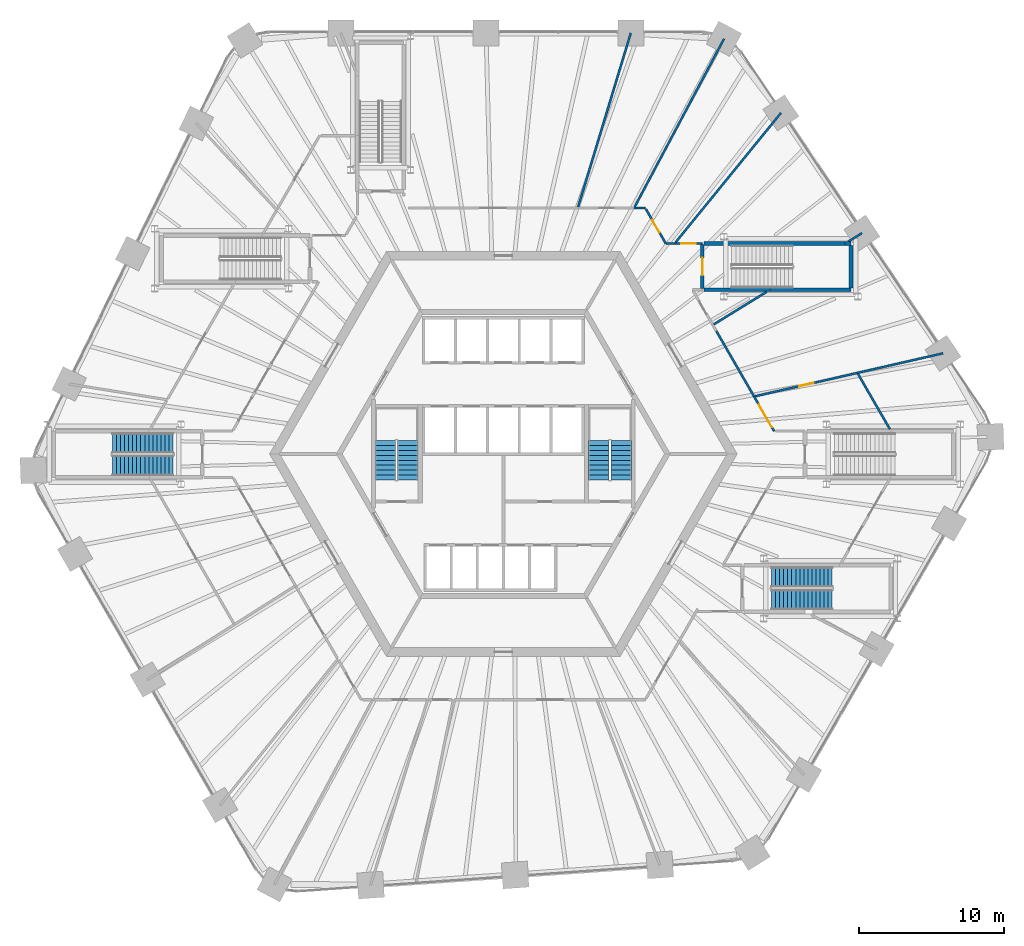
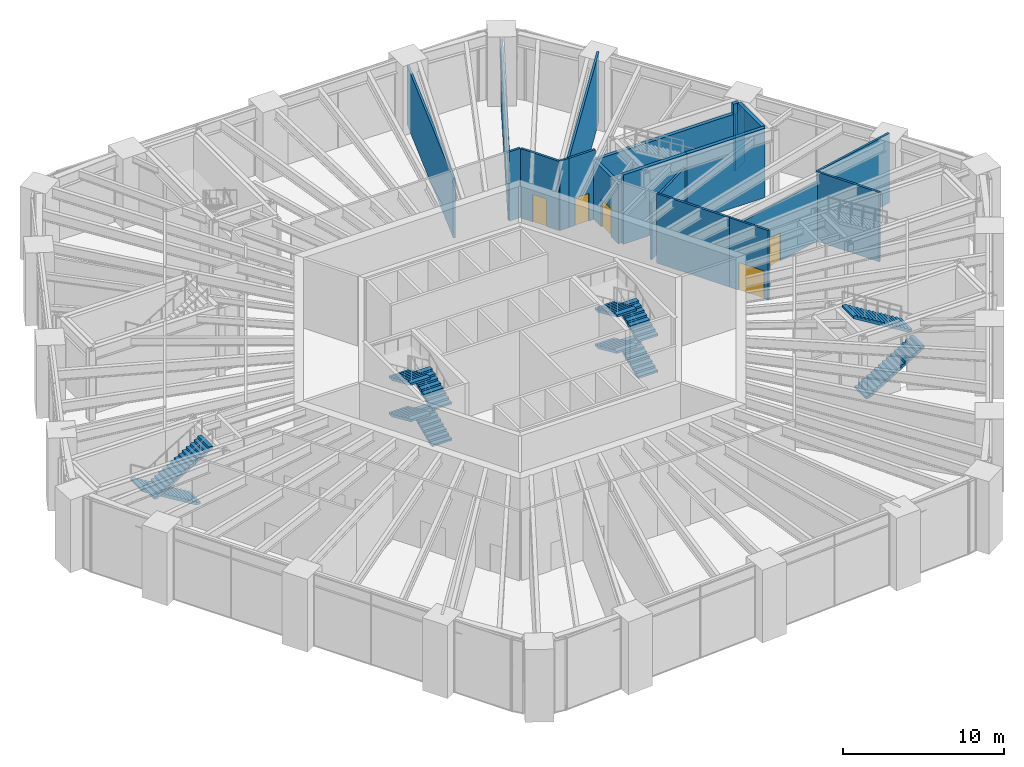
# One storey, part 25 of 30: 20 walls, 12 stair flights, 5 doors, 5 openings, 4 elements without a shape of their own.
"""IFC4 building model written with IfcOpenShell, lengths in metres."""

from ifc_helpers import new_model, si_unit, direction, frame, frame_2d, origin, place, context, subcontext, project, spatial, polyline, rectangle, outline, extrude, material, layer, layer_set, type_object, element, fill, aggregate, save


model = new_model("IFC4")

# Units and contexts
model_context = context("Model", 3, precision=1e-05, world=origin(), true_north=direction((0.0, 1.0)))
body_context = subcontext(model_context, "Body", "Model", "MODEL_VIEW")
ifc_project = project(units=[si_unit("LENGTHUNIT", "METRE"), si_unit("AREAUNIT", "SQUARE_METRE"), si_unit("VOLUMEUNIT", "CUBIC_METRE"), si_unit("PLANEANGLEUNIT", "RADIAN"), si_unit("MASSUNIT", "GRAM", prefix="KILO")], contexts=[model_context])

# Site, building, storey
site_placement = place(None, origin())
site = spatial("IfcSite", under=ifc_project, at=site_placement, CompositionType="ELEMENT")
building_placement = place(site_placement, origin())
building = spatial("IfcBuilding", under=site, at=building_placement, Name="Tarnside Tower", CompositionType="ELEMENT")
storey_placement = place(building_placement, frame((0.0, 0.0, 20.5)))
storey = spatial("IfcBuildingStorey", under=building, at=storey_placement, Name="L03", CompositionType="ELEMENT", Elevation=20.5)

# Walls
ifc_material_1 = material(Name="Gypsum board")
ifc_layer_1 = layer(ifc_material_1, 0.14990234375)
ifc_layer_set_1 = layer_set([ifc_layer_1], Name="Partition 150 gypsum board on metal stud")
wall_type_1 = type_object("IfcWallType", Name="Partition 150 gypsum board on metal stud", PredefinedType="PARTITIONING", material=ifc_layer_set_1)
wall_1_placement = place(storey_placement, frame((5.170654296875, 17.074951171875, 0.0), z_axis=(0.0, 0.0, 1.0), x_axis=(0.289887131616, 0.957060839719, 0.0)))
element("IfcWall", 1, at=wall_1_placement, inside=storey, type_object=wall_type_1, Name="Partition 051", PredefinedType="PARTITIONING", context=body_context, shape_type="SweptSolid", body=[
    extrude(rectangle(XDim=12.564697265625, YDim=0.14990234375, at=frame_2d((6.2822265625, 0.0))), origin(), (0.0, 0.0, 1.0), 4.49609375),
])
wall_2_placement = place(storey_placement, frame((9.81494140625, 17.0, 0.0), z_axis=(0.0, 0.0, 1.0), x_axis=(-1.0, 0.0, 0.0)))
element("IfcWall", 2, at=wall_2_placement, inside=storey, type_object=wall_type_1, Name="Partition 055", PredefinedType="PARTITIONING", context=body_context, shape_type="SweptSolid", body=[
    extrude(rectangle(XDim=0.77587890625, YDim=0.14990234375, at=frame_2d((0.387939453125, 0.0))), origin(), (0.0, 0.0, 1.0), 5.25),
])

# Wall, opening, door
wall_3_placement = place(storey_placement, frame((9.8583984375, 16.925048828125, 0.0), z_axis=(0.0, 0.0, 1.0), x_axis=(0.499835495421, -0.866120359718, 0.0)))
wall_3 = element("IfcWall", 3, at=wall_3_placement, inside=storey, type_object=wall_type_1, Name="Partition 057", PredefinedType="PARTITIONING", context=body_context, shape_type="SweptSolid", body=[
    extrude(rectangle(XDim=2.7421875, YDim=0.14990234375, at=frame_2d((1.37109375, 0.0))), origin(), (0.0, 0.0, 1.0), 5.25),
])
opening_1_placement = place(wall_3_placement, frame((0.87109375, 0.0, 0.0)))
opening_1 = element("IfcOpeningElement", 4, at=opening_1_placement, cuts=wall_3, Name="Opening D1000F30", PredefinedType="OPENING", context=body_context, shape_type="SweptSolid", body=[
    extrude(rectangle(XDim=1.0, YDim=2.10009765625, at=frame_2d((0.5, 1.050048828125))), frame((0.0, 0.0849609375, 0.0), z_axis=(0.0, -1.0, 0.0), x_axis=(1.0, 0.0, 0.0)), (0.0, 0.0, 1.0), 0.169921875),
])
ifc_material_2 = material(Name="Timber door leaf", Category="wood")
door_type_1 = type_object("IfcDoorType", Name="Door 1000 x 2100 single leaf FD30S fire door", OperationType="NOTDEFINED", PredefinedType="DOOR", material=ifc_material_2)
door_1_placement = place(opening_1_placement, origin())
door_1 = element("IfcDoor", 5, at=door_1_placement, inside=storey, type_object=door_type_1, Name="Door L03-22", OperationType="SINGLE_SWING_LEFT", OverallHeight=2.10009765625, OverallWidth=1.0, PredefinedType="DOOR", context=body_context, shape_type="SweptSolid", body=[
    extrude(rectangle(XDim=1.0, YDim=2.10009765625, at=frame_2d((0.5, 1.050048828125))), frame((0.0, 0.02490234375, 0.0), z_axis=(0.0, -1.0, 0.0), x_axis=(1.0, 0.0, 0.0)), (0.0, 0.0, 1.0), 0.050048828125),
])
fill(opening_1, door_1)

# Wall
wall_4_placement = place(storey_placement, frame((11.22998046875, 14.550048828125, 0.0), z_axis=(0.0, 0.0, 1.0), x_axis=(1.0, 0.0, 0.0)))
element("IfcWall", 6, at=wall_4_placement, inside=storey, type_object=wall_type_1, Name="Partition 058", PredefinedType="PARTITIONING", context=body_context, shape_type="SweptSolid", body=[
    extrude(rectangle(XDim=0.62890625, YDim=0.14990234375, at=frame_2d((0.314453125, 0.0))), origin(), (0.0, 0.0, 1.0), 5.25),
])

# Wall, opening, door
wall_5_placement = place(storey_placement, frame((11.8359375, 14.550048828125, 0.0), z_axis=(0.0, 0.0, 1.0), x_axis=(1.0, 0.0, 0.0)))
wall_5 = element("IfcWall", 7, at=wall_5_placement, inside=storey, type_object=wall_type_1, Name="Partition 059", PredefinedType="PARTITIONING", context=body_context, shape_type="SweptSolid", body=[
    extrude(rectangle(XDim=1.928955078125, YDim=0.14990234375, at=frame_2d((0.96435546875, 0.0))), origin(), (0.0, 0.0, 1.0), 5.25),
])
opening_2_placement = place(wall_5_placement, frame((0.464599609375, 0.0, 0.0)))
opening_2 = element("IfcOpeningElement", 8, at=opening_2_placement, cuts=wall_5, Name="Opening D1000F30", PredefinedType="OPENING", context=body_context, shape_type="SweptSolid", body=[
    extrude(rectangle(XDim=1.0, YDim=2.10009765625, at=frame_2d((0.5, 1.050048828125))), frame((0.0, 0.0849609375, 0.0), z_axis=(0.0, -1.0, 0.0), x_axis=(1.0, 0.0, 0.0)), (0.0, 0.0, 1.0), 0.169921875),
])
door_2_placement = place(opening_2_placement, origin())
door_2 = element("IfcDoor", 9, at=door_2_placement, inside=storey, type_object=door_type_1, Name="Door L03-23", OperationType="SINGLE_SWING_RIGHT", OverallHeight=2.10009765625, OverallWidth=1.0, PredefinedType="DOOR", context=body_context, shape_type="SweptSolid", body=[
    extrude(rectangle(XDim=1.0, YDim=2.10009765625, at=frame_2d((0.5, 1.050048828125))), frame((0.0, 0.02490234375, 0.0), z_axis=(0.0, -1.0, 0.0), x_axis=(1.0, 0.0, 0.0)), (0.0, 0.0, 1.0), 0.050048828125),
])
fill(opening_2, door_2)

# Walls
wall_6_placement = place(storey_placement, frame((15.260986328125, 28.700927734375, 0.0), z_axis=(0.0, 0.0, 1.0), x_axis=(-0.469500426527, -0.882932245131, 0.0)))
element("IfcWall", 10, at=wall_6_placement, inside=storey, type_object=wall_type_1, Name="Partition 068", PredefinedType="PARTITIONING", context=body_context, shape_type="SweptSolid", body=[
    extrude(rectangle(XDim=13.16748046875, YDim=0.14990234375, at=frame_2d((6.583740234375, 0.0))), origin(), (0.0, 0.0, 1.0), 4.48779296875),
])
wall_7_placement = place(storey_placement, frame((17.339111328125, 3.968017578125, 0.0), z_axis=(0.0, 0.0, 1.0), x_axis=(-0.499952654668, 0.866052736899, 0.0)))
element("IfcWall", 11, at=wall_7_placement, inside=storey, type_object=wall_type_1, Name="Partition 072", PredefinedType="PARTITIONING", context=body_context, shape_type="SweptSolid", body=[
    extrude(rectangle(XDim=5.23291015625, YDim=0.14990234375, at=frame_2d((2.616455078125, 0.0))), origin(), (0.0, 0.0, 1.0), 5.25),
])
wall_8_placement = place(storey_placement, frame((18.23388671875, 11.22509765625, 0.0), z_axis=(0.0, 0.0, 1.0), x_axis=(-0.851571181887, -0.524238993379, 0.0)))
element("IfcWall", 12, at=wall_8_placement, inside=storey, type_object=wall_type_1, Name="Partition 073", PredefinedType="PARTITIONING", context=body_context, shape_type="SweptSolid", body=[
    extrude(rectangle(XDim=4.32958984375, YDim=0.14990234375, at=frame_2d((2.164794921875, 0.0))), origin(), (0.0, 0.0, 1.0), 4.323486328125),
])

# Wall, opening, door
wall_9_placement = place(storey_placement, frame((18.720947265625, 1.574951171875, 0.0), z_axis=(0.0, 0.0, 1.0), x_axis=(-0.500053847239, 0.865994312834, 0.0)))
wall_9 = element("IfcWall", 13, at=wall_9_placement, inside=storey, type_object=wall_type_1, Name="Partition 075", PredefinedType="PARTITIONING", context=body_context, shape_type="SweptSolid", body=[
    extrude(rectangle(XDim=2.763427734375, YDim=0.14990234375, at=frame_2d((1.3818359375, 0.0))), origin(), (0.0, 0.0, 1.0), 5.25),
])
opening_3_placement = place(wall_9_placement, frame((0.312744140625, 0.0, 0.0)))
opening_3 = element("IfcOpeningElement", 14, at=opening_3_placement, cuts=wall_9, Name="Opening D1800F30", PredefinedType="OPENING", context=body_context, shape_type="SweptSolid", body=[
    extrude(rectangle(XDim=1.800048828125, YDim=2.10009765625, at=frame_2d((0.89990234375, 1.050048828125))), frame((0.0, 0.0849609375, 0.0), z_axis=(0.0, -1.0, 0.0), x_axis=(1.0, 0.0, 0.0)), (0.0, 0.0, 1.0), 0.169921875),
])
door_type_2 = type_object("IfcDoorType", Name="Door pair 1800 x 2100 FD30S fire door", OperationType="NOTDEFINED", PredefinedType="DOOR", material=ifc_material_2)
door_3_placement = place(opening_3_placement, origin())
door_3 = element("IfcDoor", 15, at=door_3_placement, inside=storey, type_object=door_type_2, Name="Door L03-30", OperationType="DOUBLE_DOOR_SINGLE_SWING", OverallHeight=2.10009765625, OverallWidth=1.800048828125, PredefinedType="DOOR", context=body_context, shape_type="SweptSolid", body=[
    extrude(rectangle(XDim=1.800048828125, YDim=2.10009765625, at=frame_2d((0.89990234375, 1.050048828125))), frame((0.0, 0.02490234375, 0.0), z_axis=(0.0, -1.0, 0.0), x_axis=(1.0, 0.0, 0.0)), (0.0, 0.0, 1.0), 0.050048828125),
])
fill(opening_3, door_3)

# Walls
wall_10_placement = place(storey_placement, frame((19.197021484375, 23.577880859375, 0.0), z_axis=(0.0, 0.0, 1.0), x_axis=(-0.631417805909, -0.775442811805, 0.0)))
element("IfcWall", 16, at=wall_10_placement, inside=storey, type_object=wall_type_1, Name="Partition 077", PredefinedType="PARTITIONING", context=body_context, shape_type="SweptSolid", body=[
    extrude(rectangle(XDim=11.54541015625, YDim=0.14990234375, at=frame_2d((5.772705078125, 0.0))), origin(), (0.0, 0.0, 1.0), 5.25),
])
wall_11_placement = place(storey_placement, frame((24.518310546875, 5.533935546875, 0.0), z_axis=(0.0, 0.0, 1.0), x_axis=(0.500012051057, -0.866018445991, 0.0)))
element("IfcWall", 17, at=wall_11_placement, inside=storey, type_object=wall_type_1, Name="Partition 087", PredefinedType="PARTITIONING", context=body_context, shape_type="SweptSolid", body=[
    extrude(rectangle(XDim=4.42724609375, YDim=0.14990234375, at=frame_2d((2.213623046875, 0.0))), origin(), (0.0, 0.0, 1.0), 5.25),
])

# Wall, opening, door
wall_12_placement = place(storey_placement, frame((17.41552734375, 3.985595703125, 0.0), z_axis=(0.0, 0.0, 1.0), x_axis=(0.974810247243, 0.223035830911, 0.0)))
wall_12 = element("IfcWall", 18, at=wall_12_placement, inside=storey, type_object=wall_type_1, Name="Partition 088", PredefinedType="PARTITIONING", context=body_context, shape_type="SweptSolid", body=[
    extrude(rectangle(XDim=7.25634765625, YDim=0.14990234375, at=frame_2d((3.628173828125, 0.0))), origin(), (0.0, 0.0, 1.0), 4.48779296875),
])
opening_4_placement = place(wall_12_placement, frame((3.128173828125, 0.0, 0.0)))
opening_4 = element("IfcOpeningElement", 19, at=opening_4_placement, cuts=wall_12, Name="Opening D1000F30", PredefinedType="OPENING", context=body_context, shape_type="SweptSolid", body=[
    extrude(rectangle(XDim=1.0, YDim=2.10009765625, at=frame_2d((0.5, 1.050048828125))), frame((0.0, 0.0849609375, 0.0), z_axis=(0.0, -1.0, 0.0), x_axis=(1.0, 0.0, 0.0)), (0.0, 0.0, 1.0), 0.169921875),
])
door_4_placement = place(opening_4_placement, origin())
door_4 = element("IfcDoor", 20, at=door_4_placement, inside=storey, type_object=door_type_1, Name="Door L03-32", OperationType="SINGLE_SWING_LEFT", OverallHeight=2.10009765625, OverallWidth=1.0, PredefinedType="DOOR", context=body_context, shape_type="SweptSolid", body=[
    extrude(rectangle(XDim=1.0, YDim=2.10009765625, at=frame_2d((0.5, 1.050048828125))), frame((0.0, 0.02490234375, 0.0), z_axis=(0.0, -1.0, 0.0), x_axis=(1.0, 0.0, 0.0)), (0.0, 0.0, 1.0), 0.050048828125),
])
fill(opening_4, door_4)

# Walls
wall_13_placement = place(storey_placement, frame((24.802001953125, 15.26806640625, 0.0), z_axis=(0.0, 0.0, 1.0), x_axis=(-0.851472949554, -0.524398528009, 0.0)))
element("IfcWall", 21, at=wall_13_placement, inside=storey, type_object=wall_type_1, Name="Partition 089", PredefinedType="PARTITIONING", context=body_context, shape_type="SweptSolid", body=[
    extrude(rectangle(XDim=1.130859375, YDim=0.14990234375, at=frame_2d((0.5654296875, 0.0))), origin(), (0.0, 0.0, 1.0), 4.323486328125),
])
wall_14_placement = place(storey_placement, frame((30.406982421875, 6.9580078125, 0.0), z_axis=(0.0, 0.0, 1.0), x_axis=(-0.97479228721, -0.223114313291, 0.0)))
element("IfcWall", 22, at=wall_14_placement, inside=storey, type_object=wall_type_1, Name="Partition 096", PredefinedType="PARTITIONING", context=body_context, shape_type="SweptSolid", body=[
    extrude(rectangle(XDim=6.090576171875, YDim=0.14990234375, at=frame_2d((3.04541015625, 0.0))), origin(), (0.0, 0.0, 1.0), 5.25),
])

# Wall, opening, door
ifc_material_3 = material(Name="Concrete C32/40", Category="concrete")
ifc_layer_2 = layer(ifc_material_3, 0.25)
ifc_layer_set_2 = layer_set([ifc_layer_2], Name="Wall 250 reinforced Concrete C32/40")
wall_type_2 = type_object("IfcWallType", Name="Wall 250 reinforced Concrete C32/40", PredefinedType="PARTITIONING", material=ifc_layer_set_2)
wall_15_placement = place(storey_placement, frame((13.764892578125, 11.425048828125, 0.0), z_axis=(0.0, 0.0, 1.0), x_axis=(0.0, 1.0, 0.0)))
wall_15 = element("IfcWall", 23, at=wall_15_placement, inside=storey, type_object=wall_type_2, Name="Partition 062", PredefinedType="PARTITIONING", context=body_context, shape_type="SweptSolid", body=[
    extrude(rectangle(XDim=3.050048828125, YDim=0.25, at=frame_2d((1.52490234375, 0.0))), origin(), (0.0, 0.0, 1.0), 4.49609375),
])
opening_5_placement = place(wall_15_placement, frame((0.925048828125, 0.0, 0.0)))
opening_5 = element("IfcOpeningElement", 24, at=opening_5_placement, cuts=wall_15, Name="Opening D1200F60S", PredefinedType="OPENING", context=body_context, shape_type="SweptSolid", body=[
    extrude(rectangle(XDim=1.199951171875, YDim=2.10009765625, at=frame_2d((0.60009765625, 1.050048828125))), frame((0.0, 0.135009765625, 0.0), z_axis=(0.0, -1.0, 0.0), x_axis=(1.0, 0.0, 0.0)), (0.0, 0.0, 1.0), 0.27001953125),
])
door_type_3 = type_object("IfcDoorType", Name="Door 1200 x 2100 single leaf FD60S fire door", OperationType="NOTDEFINED", PredefinedType="DOOR", material=ifc_material_2)
door_5_placement = place(opening_5_placement, origin())
door_5 = element("IfcDoor", 25, at=door_5_placement, inside=storey, type_object=door_type_3, Name="Door L03-24", OperationType="SINGLE_SWING_LEFT", OverallHeight=2.10009765625, OverallWidth=1.199951171875, PredefinedType="DOOR", context=body_context, shape_type="SweptSolid", body=[
    extrude(rectangle(XDim=1.199951171875, YDim=2.10009765625, at=frame_2d((0.60009765625, 1.050048828125))), frame((0.0, 0.02490234375, 0.0), z_axis=(0.0, -1.0, 0.0), x_axis=(1.0, 0.0, 0.0)), (0.0, 0.0, 1.0), 0.050048828125),
])
fill(opening_5, door_5)

# Walls
wall_16_placement = place(storey_placement, frame((13.889892578125, 14.550048828125, 0.0), z_axis=(0.0, 0.0, 1.0), x_axis=(1.0, 0.0, 0.0)))
element("IfcWall", 26, at=wall_16_placement, inside=storey, type_object=wall_type_2, Name="Partition 063", PredefinedType="PARTITIONING", context=body_context, shape_type="SweptSolid", body=[
    extrude(rectangle(XDim=9.76513671875, YDim=0.25, at=frame_2d((4.882568359375, 0.0))), origin(), (0.0, 0.0, 1.0), 4.49609375),
])
wall_17_placement = place(storey_placement, frame((18.447021484375, 11.35009765625, 0.0), z_axis=(0.0, 0.0, 1.0), x_axis=(-1.0, 0.0, 0.0)))
element("IfcWall", 27, at=wall_17_placement, inside=storey, type_object=wall_type_2, Name="Partition 074", PredefinedType="PARTITIONING", context=body_context, shape_type="SweptSolid", body=[
    extrude(rectangle(XDim=4.55712890625, YDim=0.25, at=frame_2d((2.278564453125, 0.0))), origin(), (0.0, 0.0, 1.0), 5.25),
])
wall_18_placement = place(storey_placement, frame((23.6259765625, 14.550048828125, 0.0), z_axis=(0.0, 0.0, 1.0), x_axis=(1.0, 0.0, 0.0)))
element("IfcWall", 28, at=wall_18_placement, inside=storey, type_object=wall_type_2, Name="Partition 084", PredefinedType="PARTITIONING", context=body_context, shape_type="SweptSolid", body=[
    extrude(rectangle(XDim=0.408935546875, YDim=0.25, at=frame_2d((0.20458984375, 0.0))), origin(), (0.0, 0.0, 1.0), 5.25),
])
wall_19_placement = place(storey_placement, frame((24.034912109375, 11.35009765625, 0.0), z_axis=(0.0, 0.0, 1.0), x_axis=(-1.0, 0.0, 0.0)))
element("IfcWall", 29, at=wall_19_placement, inside=storey, type_object=wall_type_2, Name="Partition 085", PredefinedType="PARTITIONING", context=body_context, shape_type="SweptSolid", body=[
    extrude(rectangle(XDim=5.616943359375, YDim=0.25, at=frame_2d((2.80859375, 0.0))), origin(), (0.0, 0.0, 1.0), 5.25),
])
wall_20_placement = place(storey_placement, frame((24.034912109375, 14.425048828125, 0.0), z_axis=(0.0, 0.0, 1.0), x_axis=(0.0, -1.0, 0.0)))
element("IfcWall", 30, at=wall_20_placement, inside=storey, type_object=wall_type_2, Name="Partition 086", PredefinedType="PARTITIONING", context=body_context, shape_type="SweptSolid", body=[
    extrude(rectangle(XDim=2.949951171875, YDim=0.25, at=frame_2d((1.47509765625, 0.0))), origin(), (0.0, 0.0, 1.0), 5.25),
])

# Stair, stair flights
ifc_material_4 = material(Name="Concrete C40/50", Category="concrete")
stair_type_1 = type_object("IfcStairType", Name="Exit stair 1400 clear", PredefinedType="HALF_TURN_STAIR", material=ifc_material_4)
stair_1_placement = place(storey_placement, origin())
stair_1 = element("IfcStair", 31, at=stair_1_placement, inside=storey, type_object=stair_type_1, Name="L03 Exit stair 1", PredefinedType="HALF_TURN_STAIR")
stair_flight_type_1 = type_object("IfcStairFlightType", Name="Exit stair flight 1400", PredefinedType="STRAIGHT", material=ifc_material_4)
stair_flight_1_placement = place(storey_placement, frame((8.14990234375, -1.800048828125, 0.0), z_axis=(0.0, 0.0, 1.0), x_axis=(0.0, 1.0, 0.0)))
stair_flight_1 = element("IfcStairFlight", 32, at=stair_flight_1_placement, type_object=stair_flight_type_1, Name="ST1 flight 1", NumberOfRisers=9, NumberOfTreads=8, PredefinedType="STRAIGHT", RiserHeight=0.152777778, TreadLength=0.34, context=body_context, shape_type="SweptSolid", body=[
    extrude(outline(polyline([(0.0, 0.0), (0.0, 0.15283203125), (0.340087890625, 0.15283203125), (0.340087890625, 0.3056640625), (0.679931640625, 0.3056640625), (0.679931640625, 0.458251953125), (1.02001953125, 0.458251953125), (1.02001953125, 0.611083984375), (1.360107421875, 0.611083984375), (1.360107421875, 0.763916015625), (1.699951171875, 0.763916015625), (1.699951171875, 0.916748046875), (2.0400390625, 0.916748046875), (2.0400390625, 1.0693359375), (2.3798828125, 1.0693359375), (2.3798828125, 1.22216796875), (2.719970703125, 1.22216796875), (2.719970703125, 1.375), (2.719970703125, 1.057861328125), (0.36572265625, 0.0), (0.0, 0.0)])), frame((0.0, 0.699951171875, 0.0), z_axis=(0.0, -1.0, 0.0), x_axis=(1.0, 0.0, 0.0)), (0.0, 0.0, 1.0), 1.39990234375),
])
stair_flight_2_placement = place(storey_placement, frame((6.60009765625, 0.919921875, 1.375), z_axis=(0.0, 0.0, 1.0), x_axis=(0.0, -1.0, 0.0)))
stair_flight_2 = element("IfcStairFlight", 33, at=stair_flight_2_placement, type_object=stair_flight_type_1, Name="ST1 flight 2", NumberOfRisers=9, NumberOfTreads=8, PredefinedType="STRAIGHT", RiserHeight=0.152777778, TreadLength=0.34, context=body_context, shape_type="SweptSolid", body=[
    extrude(outline(polyline([(0.0, 0.0), (0.0, 0.15283203125), (0.340087890625, 0.15283203125), (0.340087890625, 0.3056640625), (0.679931640625, 0.3056640625), (0.679931640625, 0.458251953125), (1.02001953125, 0.458251953125), (1.02001953125, 0.611083984375), (1.360107421875, 0.611083984375), (1.360107421875, 0.763916015625), (1.699951171875, 0.763916015625), (1.699951171875, 0.916748046875), (2.0400390625, 0.916748046875), (2.0400390625, 1.0693359375), (2.3798828125, 1.0693359375), (2.3798828125, 1.22216796875), (2.719970703125, 1.22216796875), (2.719970703125, 1.375), (2.719970703125, 1.057861328125), (0.36572265625, 0.0), (0.0, 0.0)])), frame((0.0, 0.699951171875, 0.0), z_axis=(0.0, -1.0, 0.0), x_axis=(1.0, 0.0, 0.0)), (0.0, 0.0, 1.0), 1.39990234375),
])
stair_flight_3_placement = place(storey_placement, frame((8.14990234375, -1.800048828125, 2.75), z_axis=(0.0, 0.0, 1.0), x_axis=(0.0, 1.0, 0.0)))
stair_flight_3 = element("IfcStairFlight", 34, at=stair_flight_3_placement, type_object=stair_flight_type_1, Name="ST1 flight 3", NumberOfRisers=9, NumberOfTreads=8, PredefinedType="STRAIGHT", RiserHeight=0.152777778, TreadLength=0.34, context=body_context, shape_type="SweptSolid", body=[
    extrude(outline(polyline([(0.0, 0.0), (0.0, 0.15283203125), (0.340087890625, 0.15283203125), (0.340087890625, 0.3056640625), (0.679931640625, 0.3056640625), (0.679931640625, 0.458251953125), (1.02001953125, 0.458251953125), (1.02001953125, 0.611083984375), (1.360107421875, 0.611083984375), (1.360107421875, 0.763916015625), (1.699951171875, 0.763916015625), (1.699951171875, 0.916748046875), (2.0400390625, 0.916748046875), (2.0400390625, 1.0693359375), (2.3798828125, 1.0693359375), (2.3798828125, 1.22216796875), (2.719970703125, 1.22216796875), (2.719970703125, 1.375), (2.719970703125, 1.057861328125), (0.36572265625, 0.0), (0.0, 0.0)])), frame((0.0, 0.699951171875, 0.0), z_axis=(0.0, -1.0, 0.0), x_axis=(1.0, 0.0, 0.0)), (0.0, 0.0, 1.0), 1.39990234375),
])
stair_flight_4_placement = place(storey_placement, frame((6.60009765625, 0.919921875, 4.125), z_axis=(0.0, 0.0, 1.0), x_axis=(0.0, -1.0, 0.0)))
stair_flight_4 = element("IfcStairFlight", 35, at=stair_flight_4_placement, type_object=stair_flight_type_1, Name="ST1 flight 4", NumberOfRisers=9, NumberOfTreads=8, PredefinedType="STRAIGHT", RiserHeight=0.152777778, TreadLength=0.34, context=body_context, shape_type="SweptSolid", body=[
    extrude(outline(polyline([(0.0, 0.0), (0.0, 0.15283203125), (0.340087890625, 0.15283203125), (0.340087890625, 0.3056640625), (0.679931640625, 0.3056640625), (0.679931640625, 0.458251953125), (1.02001953125, 0.458251953125), (1.02001953125, 0.611083984375), (1.360107421875, 0.611083984375), (1.360107421875, 0.763916015625), (1.699951171875, 0.763916015625), (1.699951171875, 0.916748046875), (2.0400390625, 0.916748046875), (2.0400390625, 1.0693359375), (2.3798828125, 1.0693359375), (2.3798828125, 1.22216796875), (2.719970703125, 1.22216796875), (2.719970703125, 1.375), (2.719970703125, 1.057861328125), (0.36572265625, 0.0), (0.0, 0.0)])), frame((0.0, 0.699951171875, 0.0), z_axis=(0.0, -1.0, 0.0), x_axis=(1.0, 0.0, 0.0)), (0.0, 0.0, 1.0), 1.39990234375),
])
aggregate(stair_1, [stair_flight_1, stair_flight_2, stair_flight_3, stair_flight_4])

stair_2_placement = place(storey_placement, origin())
stair_2 = element("IfcStair", 36, at=stair_2_placement, inside=storey, type_object=stair_type_1, Name="L03 Exit stair 2", PredefinedType="HALF_TURN_STAIR")
stair_flight_5_placement = place(storey_placement, frame((-6.60009765625, -1.800048828125, 0.0), z_axis=(0.0, 0.0, 1.0), x_axis=(0.0, 1.0, 0.0)))
stair_flight_5 = element("IfcStairFlight", 37, at=stair_flight_5_placement, type_object=stair_flight_type_1, Name="ST2 flight 1", NumberOfRisers=9, NumberOfTreads=8, PredefinedType="STRAIGHT", RiserHeight=0.152777778, TreadLength=0.34, context=body_context, shape_type="SweptSolid", body=[
    extrude(outline(polyline([(0.0, 0.0), (0.0, 0.15283203125), (0.340087890625, 0.15283203125), (0.340087890625, 0.3056640625), (0.679931640625, 0.3056640625), (0.679931640625, 0.458251953125), (1.02001953125, 0.458251953125), (1.02001953125, 0.611083984375), (1.360107421875, 0.611083984375), (1.360107421875, 0.763916015625), (1.699951171875, 0.763916015625), (1.699951171875, 0.916748046875), (2.0400390625, 0.916748046875), (2.0400390625, 1.0693359375), (2.3798828125, 1.0693359375), (2.3798828125, 1.22216796875), (2.719970703125, 1.22216796875), (2.719970703125, 1.375), (2.719970703125, 1.057861328125), (0.36572265625, 0.0), (0.0, 0.0)])), frame((0.0, 0.699951171875, 0.0), z_axis=(0.0, -1.0, 0.0), x_axis=(1.0, 0.0, 0.0)), (0.0, 0.0, 1.0), 1.39990234375),
])
stair_flight_6_placement = place(storey_placement, frame((-8.14990234375, 0.919921875, 1.375), z_axis=(0.0, 0.0, 1.0), x_axis=(0.0, -1.0, 0.0)))
stair_flight_6 = element("IfcStairFlight", 38, at=stair_flight_6_placement, type_object=stair_flight_type_1, Name="ST2 flight 2", NumberOfRisers=9, NumberOfTreads=8, PredefinedType="STRAIGHT", RiserHeight=0.152777778, TreadLength=0.34, context=body_context, shape_type="SweptSolid", body=[
    extrude(outline(polyline([(0.0, 0.0), (0.0, 0.15283203125), (0.340087890625, 0.15283203125), (0.340087890625, 0.3056640625), (0.679931640625, 0.3056640625), (0.679931640625, 0.458251953125), (1.02001953125, 0.458251953125), (1.02001953125, 0.611083984375), (1.360107421875, 0.611083984375), (1.360107421875, 0.763916015625), (1.699951171875, 0.763916015625), (1.699951171875, 0.916748046875), (2.0400390625, 0.916748046875), (2.0400390625, 1.0693359375), (2.3798828125, 1.0693359375), (2.3798828125, 1.22216796875), (2.719970703125, 1.22216796875), (2.719970703125, 1.375), (2.719970703125, 1.057861328125), (0.36572265625, 0.0), (0.0, 0.0)])), frame((0.0, 0.699951171875, 0.0), z_axis=(0.0, -1.0, 0.0), x_axis=(1.0, 0.0, 0.0)), (0.0, 0.0, 1.0), 1.39990234375),
])
stair_flight_7_placement = place(storey_placement, frame((-6.60009765625, -1.800048828125, 2.75), z_axis=(0.0, 0.0, 1.0), x_axis=(0.0, 1.0, 0.0)))
stair_flight_7 = element("IfcStairFlight", 39, at=stair_flight_7_placement, type_object=stair_flight_type_1, Name="ST2 flight 3", NumberOfRisers=9, NumberOfTreads=8, PredefinedType="STRAIGHT", RiserHeight=0.152777778, TreadLength=0.34, context=body_context, shape_type="SweptSolid", body=[
    extrude(outline(polyline([(0.0, 0.0), (0.0, 0.15283203125), (0.340087890625, 0.15283203125), (0.340087890625, 0.3056640625), (0.679931640625, 0.3056640625), (0.679931640625, 0.458251953125), (1.02001953125, 0.458251953125), (1.02001953125, 0.611083984375), (1.360107421875, 0.611083984375), (1.360107421875, 0.763916015625), (1.699951171875, 0.763916015625), (1.699951171875, 0.916748046875), (2.0400390625, 0.916748046875), (2.0400390625, 1.0693359375), (2.3798828125, 1.0693359375), (2.3798828125, 1.22216796875), (2.719970703125, 1.22216796875), (2.719970703125, 1.375), (2.719970703125, 1.057861328125), (0.36572265625, 0.0), (0.0, 0.0)])), frame((0.0, 0.699951171875, 0.0), z_axis=(0.0, -1.0, 0.0), x_axis=(1.0, 0.0, 0.0)), (0.0, 0.0, 1.0), 1.39990234375),
])
stair_flight_8_placement = place(storey_placement, frame((-8.14990234375, 0.919921875, 4.125), z_axis=(0.0, 0.0, 1.0), x_axis=(0.0, -1.0, 0.0)))
stair_flight_8 = element("IfcStairFlight", 40, at=stair_flight_8_placement, type_object=stair_flight_type_1, Name="ST2 flight 4", NumberOfRisers=9, NumberOfTreads=8, PredefinedType="STRAIGHT", RiserHeight=0.152777778, TreadLength=0.34, context=body_context, shape_type="SweptSolid", body=[
    extrude(outline(polyline([(0.0, 0.0), (0.0, 0.15283203125), (0.340087890625, 0.15283203125), (0.340087890625, 0.3056640625), (0.679931640625, 0.3056640625), (0.679931640625, 0.458251953125), (1.02001953125, 0.458251953125), (1.02001953125, 0.611083984375), (1.360107421875, 0.611083984375), (1.360107421875, 0.763916015625), (1.699951171875, 0.763916015625), (1.699951171875, 0.916748046875), (2.0400390625, 0.916748046875), (2.0400390625, 1.0693359375), (2.3798828125, 1.0693359375), (2.3798828125, 1.22216796875), (2.719970703125, 1.22216796875), (2.719970703125, 1.375), (2.719970703125, 1.057861328125), (0.36572265625, 0.0), (0.0, 0.0)])), frame((0.0, 0.699951171875, 0.0), z_axis=(0.0, -1.0, 0.0), x_axis=(1.0, 0.0, 0.0)), (0.0, 0.0, 1.0), 1.39990234375),
])
aggregate(stair_2, [stair_flight_5, stair_flight_6, stair_flight_7, stair_flight_8])

stair_type_2 = type_object("IfcStairType", Name="Podium exit stair 1400 clear", PredefinedType="HALF_TURN_STAIR", material=ifc_material_4)
stair_3_placement = place(storey_placement, origin())
stair_3 = element("IfcStair", 41, at=stair_3_placement, inside=storey, type_object=stair_type_2, Name="L03 Podium exit stair 2", PredefinedType="HALF_TURN_STAIR")
stair_flight_type_2 = type_object("IfcStairFlightType", Name="Podium exit stair flight 1400", PredefinedType="STRAIGHT", material=ifc_material_4)
stair_flight_9_placement = place(storey_placement, frame((-22.830078125, 0.75, 0.0), z_axis=(0.0, 0.0, 1.0), x_axis=(-1.0, 0.0, 0.0)))
stair_flight_9 = element("IfcStairFlight", 42, at=stair_flight_9_placement, type_object=stair_flight_type_2, Name="PS2 flight 1", NumberOfRisers=16, NumberOfTreads=15, PredefinedType="STRAIGHT", RiserHeight=0.171875, TreadLength=0.28, context=body_context, shape_type="SweptSolid", body=[
    extrude(outline(polyline([(0.0, 0.0), (0.0, 0.171875), (0.280029296875, 0.171875), (0.280029296875, 0.34375), (0.56005859375, 0.34375), (0.56005859375, 0.515625), (0.840087890625, 0.515625), (0.840087890625, 0.6875), (1.1201171875, 0.6875), (1.1201171875, 0.859375), (1.39990234375, 0.859375), (1.39990234375, 1.03125), (1.679931640625, 1.03125), (1.679931640625, 1.203125), (1.9599609375, 1.203125), (1.9599609375, 1.375), (2.239990234375, 1.375), (2.239990234375, 1.546875), (2.52001953125, 1.546875), (2.52001953125, 1.71875), (2.800048828125, 1.71875), (2.800048828125, 1.890625), (3.080078125, 1.890625), (3.080078125, 2.0625), (3.360107421875, 2.0625), (3.360107421875, 2.234375), (3.639892578125, 2.234375), (3.639892578125, 2.40625), (3.919921875, 2.40625), (3.919921875, 2.578125), (4.199951171875, 2.578125), (4.199951171875, 2.75), (4.199951171875, 2.40234375), (0.28662109375, 0.0), (0.0, 0.0)])), frame((0.0, 0.699951171875, 0.0), z_axis=(0.0, -1.0, 0.0), x_axis=(1.0, 0.0, 0.0)), (0.0, 0.0, 1.0), 1.39990234375),
])
stair_flight_10_placement = place(storey_placement, frame((-27.030029296875, -0.800048828125, 2.75), z_axis=(0.0, 0.0, 1.0), x_axis=(1.0, 0.0, 0.0)))
stair_flight_10 = element("IfcStairFlight", 43, at=stair_flight_10_placement, type_object=stair_flight_type_2, Name="PS2 flight 2", NumberOfRisers=16, NumberOfTreads=15, PredefinedType="STRAIGHT", RiserHeight=0.171875, TreadLength=0.28, context=body_context, shape_type="SweptSolid", body=[
    extrude(outline(polyline([(0.0, 0.0), (0.0, 0.171875), (0.280029296875, 0.171875), (0.280029296875, 0.34375), (0.56005859375, 0.34375), (0.56005859375, 0.515625), (0.840087890625, 0.515625), (0.840087890625, 0.6875), (1.1201171875, 0.6875), (1.1201171875, 0.859375), (1.39990234375, 0.859375), (1.39990234375, 1.03125), (1.679931640625, 1.03125), (1.679931640625, 1.203125), (1.9599609375, 1.203125), (1.9599609375, 1.375), (2.239990234375, 1.375), (2.239990234375, 1.546875), (2.52001953125, 1.546875), (2.52001953125, 1.71875), (2.800048828125, 1.71875), (2.800048828125, 1.890625), (3.080078125, 1.890625), (3.080078125, 2.0625), (3.360107421875, 2.0625), (3.360107421875, 2.234375), (3.639892578125, 2.234375), (3.639892578125, 2.40625), (3.919921875, 2.40625), (3.919921875, 2.578125), (4.199951171875, 2.578125), (4.199951171875, 2.75), (4.199951171875, 2.40234375), (0.28662109375, 0.0), (0.0, 0.0)])), frame((0.0, 0.699951171875, 0.0), z_axis=(0.0, -1.0, 0.0), x_axis=(1.0, 0.0, 0.0)), (0.0, 0.0, 1.0), 1.39990234375),
])
aggregate(stair_3, [stair_flight_9, stair_flight_10])

stair_4_placement = place(storey_placement, origin())
stair_4 = element("IfcStair", 44, at=stair_4_placement, inside=storey, type_object=stair_type_2, Name="L03 Podium exit stair 5", PredefinedType="HALF_TURN_STAIR")
stair_flight_11_placement = place(storey_placement, frame((18.5400390625, -10.074951171875, 0.0), z_axis=(0.0, 0.0, 1.0), x_axis=(1.0, 0.0, 0.0)))
stair_flight_11 = element("IfcStairFlight", 45, at=stair_flight_11_placement, type_object=stair_flight_type_2, Name="PS5 flight 1", NumberOfRisers=16, NumberOfTreads=15, PredefinedType="STRAIGHT", RiserHeight=0.171875, TreadLength=0.28, context=body_context, shape_type="SweptSolid", body=[
    extrude(outline(polyline([(0.0, 0.0), (0.0, 0.171875), (0.280029296875, 0.171875), (0.280029296875, 0.34375), (0.56005859375, 0.34375), (0.56005859375, 0.515625), (0.840087890625, 0.515625), (0.840087890625, 0.6875), (1.1201171875, 0.6875), (1.1201171875, 0.859375), (1.39990234375, 0.859375), (1.39990234375, 1.03125), (1.679931640625, 1.03125), (1.679931640625, 1.203125), (1.9599609375, 1.203125), (1.9599609375, 1.375), (2.239990234375, 1.375), (2.239990234375, 1.546875), (2.52001953125, 1.546875), (2.52001953125, 1.71875), (2.800048828125, 1.71875), (2.800048828125, 1.890625), (3.080078125, 1.890625), (3.080078125, 2.0625), (3.360107421875, 2.0625), (3.360107421875, 2.234375), (3.639892578125, 2.234375), (3.639892578125, 2.40625), (3.919921875, 2.40625), (3.919921875, 2.578125), (4.199951171875, 2.578125), (4.199951171875, 2.75), (4.199951171875, 2.40234375), (0.28662109375, 0.0), (0.0, 0.0)])), frame((0.0, 0.699951171875, 0.0), z_axis=(0.0, -1.0, 0.0), x_axis=(1.0, 0.0, 0.0)), (0.0, 0.0, 1.0), 1.39990234375),
])
stair_flight_12_placement = place(storey_placement, frame((22.739990234375, -8.52490234375, 2.75), z_axis=(0.0, 0.0, 1.0), x_axis=(-1.0, 0.0, 0.0)))
stair_flight_12 = element("IfcStairFlight", 46, at=stair_flight_12_placement, type_object=stair_flight_type_2, Name="PS5 flight 2", NumberOfRisers=16, NumberOfTreads=15, PredefinedType="STRAIGHT", RiserHeight=0.171875, TreadLength=0.28, context=body_context, shape_type="SweptSolid", body=[
    extrude(outline(polyline([(0.0, 0.0), (0.0, 0.171875), (0.280029296875, 0.171875), (0.280029296875, 0.34375), (0.56005859375, 0.34375), (0.56005859375, 0.515625), (0.840087890625, 0.515625), (0.840087890625, 0.6875), (1.1201171875, 0.6875), (1.1201171875, 0.859375), (1.39990234375, 0.859375), (1.39990234375, 1.03125), (1.679931640625, 1.03125), (1.679931640625, 1.203125), (1.9599609375, 1.203125), (1.9599609375, 1.375), (2.239990234375, 1.375), (2.239990234375, 1.546875), (2.52001953125, 1.546875), (2.52001953125, 1.71875), (2.800048828125, 1.71875), (2.800048828125, 1.890625), (3.080078125, 1.890625), (3.080078125, 2.0625), (3.360107421875, 2.0625), (3.360107421875, 2.234375), (3.639892578125, 2.234375), (3.639892578125, 2.40625), (3.919921875, 2.40625), (3.919921875, 2.578125), (4.199951171875, 2.578125), (4.199951171875, 2.75), (4.199951171875, 2.40234375), (0.28662109375, 0.0), (0.0, 0.0)])), frame((0.0, 0.699951171875, 0.0), z_axis=(0.0, -1.0, 0.0), x_axis=(1.0, 0.0, 0.0)), (0.0, 0.0, 1.0), 1.39990234375),
])
aggregate(stair_4, [stair_flight_11, stair_flight_12])

save(model, "model.ifc")
